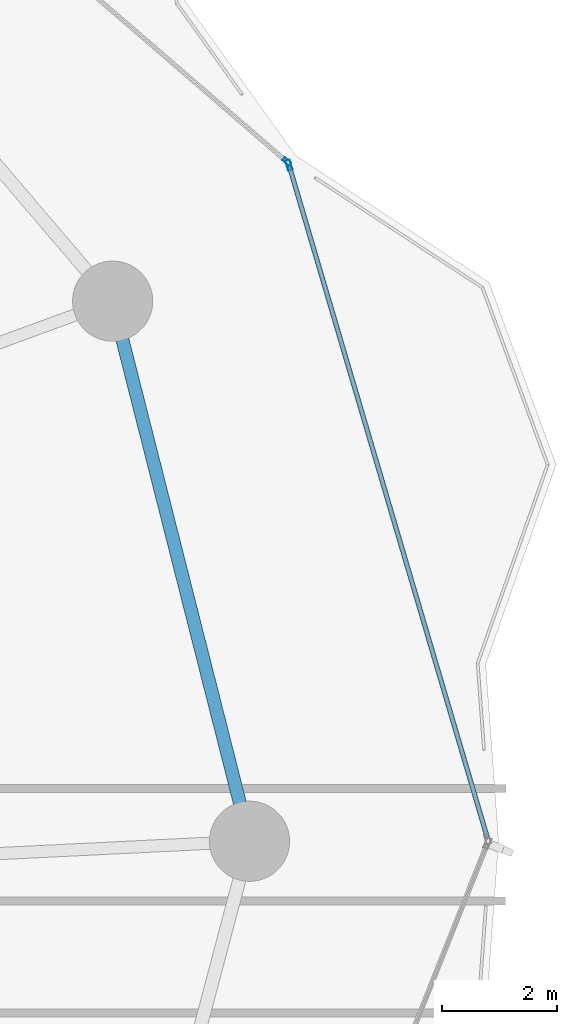
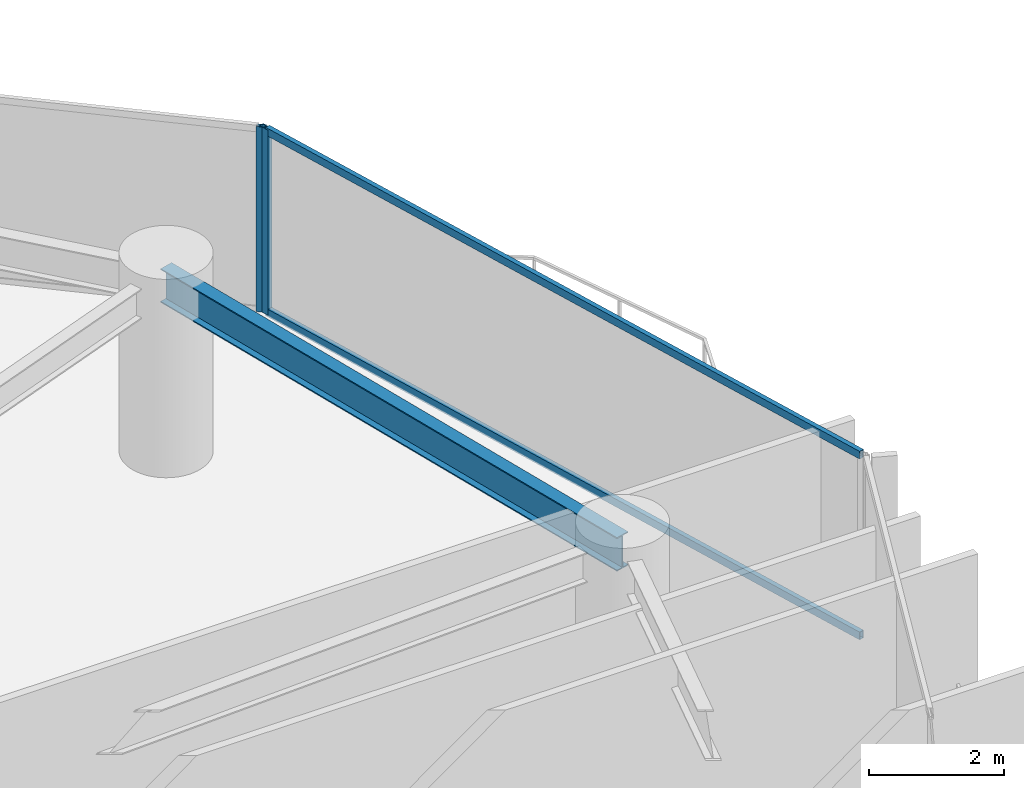
# One storey, part 24 of 33: 4 members, 1 beam, 2 elements without a shape of their own.
"""IFC4 building model written with IfcOpenShell, lengths in metres."""

import ifcopenshell
import ifcopenshell.guid

model = None  # the IFC model being written
_history = None  # IfcOwnerHistory: only IFC2X3 demands one
_inside = {}  # id of a spatial element -> (the spatial element, [elements in it])
_under = {}  # id of a project, library or spatial element -> (it, [spatial elements below it])
_declared = {}  # id of a project -> (the project, [libraries it declares])
_typed = {}  # id of a type object -> (the type object, [elements of that type])
_made_of = {}  # id of a material, layer set ... -> (it, [elements and type objects made of it])


def new_model(schema):
    """Start an empty IFC model of exactly this schema.

    Asked for "IFC4X3", IfcOpenShell would pick the latest addendum, in which some entities
    have other attributes; the version numbers below select the first issue.
    IFC2X3 requires an IfcOwnerHistory on every rooted entity: one is made here for all.
    """
    global model, _history
    if schema == "IFC4X3":
        model = ifcopenshell.file(schema_version=(4, 3, 0, 0))
    else:
        model = ifcopenshell.file(schema=schema)
    _inside.clear()
    _under.clear()
    _declared.clear()
    _typed.clear()
    _made_of.clear()
    _history = None
    if model.schema == "IFC2X3":
        org = make("IfcOrganization", Name="unknown")
        user = make(
            "IfcPersonAndOrganization",
            ThePerson=make("IfcPerson", FamilyName="unknown"),
            TheOrganization=org,
        )
        app = make(
            "IfcApplication",
            ApplicationDeveloper=org,
            Version="unknown",
            ApplicationFullName="unknown",
            ApplicationIdentifier="unknown",
        )
        _history = make(
            "IfcOwnerHistory",
            OwningUser=user,
            OwningApplication=app,
            ChangeAction="ADDED",
            CreationDate=0,
        )
    return model


def make(cls, **values):
    """One entity of the class cls with the attributes given. An attribute that is None is left unset."""
    return model.create_entity(
        cls, **{name: value for name, value in values.items() if value is not None}
    )


def rooted(cls, **values):
    """An entity with a GlobalId (a new one), such as an element, a storey or a relation."""
    return make(cls, GlobalId=ifcopenshell.guid.new(), OwnerHistory=_history, **values)


def si_unit(unit_type, name, prefix=None):
    """IfcSIUnit, for example si_unit("LENGTHUNIT", "METRE", prefix="MILLI")."""
    return make("IfcSIUnit", UnitType=unit_type, Prefix=prefix, Name=name)


def assignment(units):
    """IfcUnitAssignment: the units of a project."""
    return None if units is None else make("IfcUnitAssignment", Units=units)


def point(xyz):
    """IfcCartesianPoint."""
    return None if xyz is None else make("IfcCartesianPoint", Coordinates=xyz)


def direction(xyz):
    """IfcDirection."""
    return None if xyz is None else make("IfcDirection", DirectionRatios=xyz)


def frame(location, z_axis=None, x_axis=None):
    """IfcAxis2Placement3D, a coordinate frame: its origin and axes. An axis left out is left unset."""
    return make(
        "IfcAxis2Placement3D",
        Location=point(location),
        Axis=direction(z_axis),
        RefDirection=direction(x_axis),
    )


def frame_2d(location, x_axis=None):
    """IfcAxis2Placement2D, a coordinate frame in the plane: its origin and x axis."""
    return make(
        "IfcAxis2Placement2D", Location=point(location), RefDirection=direction(x_axis)
    )


def origin():
    """The frame at (0, 0, 0) with its axes left unset."""
    return frame((0.0, 0.0, 0.0))


def origin_2d():
    """The frame at (0, 0) in the plane with its x axis left unset."""
    return frame_2d((0.0, 0.0))


def place(relative_to, where):
    """IfcLocalPlacement: puts the frame where relative to a parent placement (None: the world)."""
    return make(
        "IfcLocalPlacement", PlacementRelTo=relative_to, RelativePlacement=where
    )


def context(
    kind, dimensions, precision=None, world=None, true_north=None, identifier=None
):
    """IfcGeometricRepresentationContext, for example the 3D "Model" context."""
    return make(
        "IfcGeometricRepresentationContext",
        ContextIdentifier=identifier,
        ContextType=kind,
        CoordinateSpaceDimension=dimensions,
        Precision=precision,
        WorldCoordinateSystem=world,
        TrueNorth=true_north,
    )


def subcontext(parent, identifier, kind, view, scale=None):
    """IfcGeometricRepresentationSubContext, for example "Body" below "Model"."""
    return make(
        "IfcGeometricRepresentationSubContext",
        ContextIdentifier=identifier,
        ContextType=kind,
        ParentContext=parent,
        TargetScale=scale,
        TargetView=view,
    )


def project(units=None, contexts=None):
    """IfcProject with its units and contexts."""
    return rooted(
        "IfcProject",
        Name="project",
        RepresentationContexts=contexts,
        UnitsInContext=assignment(units),
    )


def spatial(cls, under=None, at=None, **own):
    """A site, building, storey or space (cls), placed at a placement, below another one or the project."""
    s = rooted(cls, ObjectPlacement=at, **own)
    if under is not None:
        _under.setdefault(under.id(), (under, []))[1].append(s)
    return s


def profile(cls, at=None, kind="AREA", **sizes):
    """A parametric profile (cls). Its sizes go by their IFC names, for example OverallWidth=200.0."""
    return make(cls, ProfileType=kind, Position=at, **sizes)


def hollow_rectangle(**sizes):
    """IfcRectangleHollowProfileDef."""
    return profile("IfcRectangleHollowProfileDef", **sizes)


def i_section(**sizes):
    """IfcIShapeProfileDef."""
    return profile("IfcIShapeProfileDef", **sizes)


def extrude(swept, where, along, depth):
    """IfcExtrudedAreaSolid: the profile swept, set in the frame where, extruded along a direction by depth."""
    return make(
        "IfcExtrudedAreaSolid",
        SweptArea=swept,
        Position=where,
        ExtrudedDirection=direction(along),
        Depth=depth,
    )


def shape(context_of_items, identifier, shape_type, items):
    """IfcShapeRepresentation: the items that make up one representation, for example the "Body"."""
    return make(
        "IfcShapeRepresentation",
        ContextOfItems=context_of_items,
        RepresentationIdentifier=identifier,
        RepresentationType=shape_type,
        Items=items,
    )


def material(Name=None, Category=None):
    """IfcMaterial."""
    return make("IfcMaterial", Name=Name, Category=Category)


def layer(
    of_material, thickness, ventilated=None, Name=None, Category=None, Priority=None
):
    """IfcMaterialLayer: one layer of a wall or slab, of a material (None: an air gap)."""
    return make(
        "IfcMaterialLayer",
        Material=of_material,
        LayerThickness=thickness,
        IsVentilated=ventilated,
        Name=Name,
        Category=Category,
        Priority=Priority,
    )


def layer_set(layers, Name=None):
    """IfcMaterialLayerSet."""
    return make("IfcMaterialLayerSet", MaterialLayers=layers, LayerSetName=Name)


def material_profile(
    of_material, cross_section, Name=None, Category=None, Priority=None
):
    """IfcMaterialProfile: a cross section and its material."""
    return make(
        "IfcMaterialProfile",
        Name=Name,
        Material=of_material,
        Profile=cross_section,
        Priority=Priority,
        Category=Category,
    )


def profile_set(profiles, Name=None, composite=None):
    """IfcMaterialProfileSet."""
    return make(
        "IfcMaterialProfileSet",
        Name=Name,
        MaterialProfiles=profiles,
        CompositeProfile=composite,
    )


def made_of(thing, what):
    """Note that an element or type object is made of a material, layer set ...; save() writes the relation."""
    if what is not None:
        _made_of.setdefault(what.id(), (what, []))[1].append(thing)
    return thing


def type_object(cls, material=None, **own):
    """A type object (cls), such as IfcWallType, which elements share."""
    return made_of(rooted(cls, **own), material)


def element(
    cls,
    number,
    at=None,
    inside=None,
    cuts=None,
    type_object=None,
    material=None,
    context=None,
    identifier="Body",
    shape_type=None,
    held_by="IfcProductDefinitionShape",
    body=None,
    shapes=None,
    **own,
):
    """One element of the class cls, such as IfcWall. Its Tag is "e" and its number.

    at: its placement. inside: the storey or other place that contains it. cuts: it is an
    opening in that element (IfcRelVoidsElement). A single representation is given by context,
    identifier, shape_type and body (its items); several are given by shapes. held_by: the class
    of the entity that holds the representations. save() writes the other relations.
    """
    e = rooted(cls, Tag="e%d" % number, ObjectPlacement=at, **own)
    if body is not None:
        shapes = [shape(context, identifier, shape_type, body)]
    if shapes is not None:
        e.Representation = make(held_by, Representations=shapes)
    if inside is not None:
        _inside.setdefault(inside.id(), (inside, []))[1].append(e)
    if cuts is not None:
        rooted(
            "IfcRelVoidsElement", RelatingBuildingElement=cuts, RelatedOpeningElement=e
        )
    if type_object is not None:
        _typed.setdefault(type_object.id(), (type_object, []))[1].append(e)
    return made_of(e, material)


def aggregate(whole, parts):
    """IfcRelAggregates: a whole, such as a stair, and the parts it consists of."""
    return rooted("IfcRelAggregates", RelatingObject=whole, RelatedObjects=parts)


def save(model, path):
    """Write the relations noted so far, then the file.

    IfcRelAggregates (storeys below a building ...), IfcRelContainedInSpatialStructure (elements
    in a storey), IfcRelDefinesByType, IfcRelAssociatesMaterial and IfcRelDeclares: one each for
    every whole, place, type object, material and project.
    """
    for whole, parts in _under.values():
        aggregate(whole, parts)
    for where, things in _inside.values():
        rooted(
            "IfcRelContainedInSpatialStructure",
            RelatedElements=things,
            RelatingStructure=where,
        )
    for kind, things in _typed.values():
        rooted("IfcRelDefinesByType", RelatedObjects=things, RelatingType=kind)
    for what, things in _made_of.values():
        rooted("IfcRelAssociatesMaterial", RelatedObjects=things, RelatingMaterial=what)
    for by, libraries in _declared.values():
        rooted("IfcRelDeclares", RelatingContext=by, RelatedDefinitions=libraries)
    model.write(path)


model = new_model("IFC4")

# Units and contexts
model_context = context("Model", 3, precision=1e-05, world=origin(), true_north=direction((0.0, 1.0)))
body_context = subcontext(model_context, "Body", "Model", "MODEL_VIEW")
ifc_project = project(units=[si_unit("LENGTHUNIT", "METRE"), si_unit("AREAUNIT", "SQUARE_METRE"), si_unit("VOLUMEUNIT", "CUBIC_METRE"), si_unit("PLANEANGLEUNIT", "RADIAN"), si_unit("MASSUNIT", "GRAM", prefix="KILO")], contexts=[model_context])

# Site, building, storey
site_placement = place(None, origin())
site = spatial("IfcSite", under=ifc_project, at=site_placement, CompositionType="ELEMENT")
building_placement = place(site_placement, origin())
building = spatial("IfcBuilding", under=site, at=building_placement, Name="Kazevale Care Tower and Concert Hall", CompositionType="ELEMENT")
storey_placement = place(building_placement, frame((0.0, 0.0, 49.199951171875)))
storey = spatial("IfcBuildingStorey", under=building, at=storey_placement, Name="L12", CompositionType="ELEMENT", Elevation=49.199951171875)

# Curtain wall, member
ifc_material_1 = material(Name="Aluminium 6063-T6 and Low-E Glass", Category="aluminium")
ifc_layer_1 = layer(ifc_material_1, 0.179931640625)
ifc_layer_set_1 = layer_set([ifc_layer_1], Name="Aluminium 6063-T6 and Low-E Glass")
curtain_wall_type_1 = type_object("IfcCurtainWallType", Name="Convex Recessed Sunroom Curtain Wall CW-3", PredefinedType="NOTDEFINED", material=ifc_layer_set_1)
curtain_wall_1_placement = place(storey_placement, origin())
curtain_wall_1 = element("IfcCurtainWall", 1, at=curtain_wall_1_placement, inside=storey, type_object=curtain_wall_type_1, Name="cw:L12:f17", PredefinedType="NOTDEFINED")
ifc_material_2 = material(Name="Aluminium 6063-T6", Category="aluminium")
ifc_material_profile_1 = material_profile(ifc_material_2, hollow_rectangle(XDim=0.074951171875, YDim=0.14990234375, WallThickness=0.00390625, at=origin_2d()), Name="ALU75x150x4")
ifc_profile_set_1 = profile_set([ifc_material_profile_1], Name="Aluminium 6063-T6")
member_type_1 = type_object("IfcMemberType", Name="CW-3 Mullion ALU75x150x4", PredefinedType="MULLION", material=ifc_profile_set_1)
member_1_placement = place(storey_placement, frame((77.099609375, 49.867431640625, 0.0), z_axis=(0.0, 0.0, 1.0), x_axis=(0.653183596561, 0.757199570248, 0.0)))
member_1 = element("IfcMember", 2, at=member_1_placement, type_object=member_type_1, Name="CW-3 mullion 2", PredefinedType="MULLION", context=body_context, shape_type="SweptSolid", body=[
    extrude(hollow_rectangle(XDim=0.074951171875, YDim=0.14990234375, WallThickness=0.00390625, at=origin_2d()), origin(), (0.0, 0.0, 1.0), 3.360107421875),
])
aggregate(curtain_wall_1, [member_1])

# Curtain wall, members
ifc_layer_2 = layer(ifc_material_1, 0.179931640625)
ifc_layer_set_2 = layer_set([ifc_layer_2], Name="Aluminium 6063-T6 and Low-E Glass")
curtain_wall_type_2 = type_object("IfcCurtainWallType", Name="Waist & Upper Residential Curtain Wall CW-4", PredefinedType="NOTDEFINED", material=ifc_layer_set_2)
curtain_wall_2_placement = place(storey_placement, origin())
curtain_wall_2 = element("IfcCurtainWall", 3, at=curtain_wall_2_placement, inside=storey, type_object=curtain_wall_type_2, Name="cw:L12:f18", PredefinedType="NOTDEFINED")
ifc_material_profile_2 = material_profile(ifc_material_2, hollow_rectangle(XDim=0.080078125, YDim=0.179931640625, WallThickness=0.0048828125, at=origin_2d()), Name="ALU80x180x5")
ifc_profile_set_2 = profile_set([ifc_material_profile_2], Name="Aluminium 6063-T6")
member_type_2 = type_object("IfcMemberType", Name="CW-4 Mullion ALU80x180x5", PredefinedType="MULLION", material=ifc_profile_set_2)
member_2_placement = place(storey_placement, frame((77.139404296875, 49.8046875, 0.0), z_axis=(0.0, 0.0, 1.0), x_axis=(0.959173119586, 0.282819600918, 0.0)))
member_2 = element("IfcMember", 4, at=member_2_placement, type_object=member_type_2, Name="CW-4 mullion 1", PredefinedType="MULLION", context=body_context, shape_type="SweptSolid", body=[
    extrude(hollow_rectangle(XDim=0.080078125, YDim=0.179931640625, WallThickness=0.0048828125, at=origin_2d()), origin(), (0.0, 0.0, 1.0), 3.360107421875),
])
ifc_material_profile_3 = material_profile(ifc_material_2, hollow_rectangle(XDim=0.080078125, YDim=0.139892578125, WallThickness=0.00390625, at=origin_2d()), Name="ALU80x140x4")
ifc_profile_set_3 = profile_set([ifc_material_profile_3], Name="Aluminium 6063-T6")
member_type_3 = type_object("IfcMemberType", Name="CW-4 Transom ALU80x140x4", PredefinedType="USERDEFINED", material=ifc_profile_set_3)
member_3_placement = place(storey_placement, frame((77.150634765625, 49.766357421875, 0.0400390625), z_axis=(0.282818078945, -0.95917356835, 0.0), x_axis=(0.95917356835, 0.282818078945, 0.0)))
member_3 = element("IfcMember", 5, at=member_3_placement, type_object=member_type_3, Name="CW-4 transom 1.1", ObjectType="TRANSOM", PredefinedType="USERDEFINED", context=body_context, shape_type="SweptSolid", body=[
    extrude(hollow_rectangle(XDim=0.080078125, YDim=0.139892578125, WallThickness=0.00390625, at=origin_2d()), origin(), (0.0, 0.0, 1.0), 12.187255859375),
])
member_4_placement = place(storey_placement, frame((77.150634765625, 49.766357421875, 3.320068359375), z_axis=(0.282818078945, -0.95917356835, 0.0), x_axis=(0.95917356835, 0.282818078945, 0.0)))
member_4 = element("IfcMember", 6, at=member_4_placement, type_object=member_type_3, Name="CW-4 transom 1.2", ObjectType="TRANSOM", PredefinedType="USERDEFINED", context=body_context, shape_type="SweptSolid", body=[
    extrude(hollow_rectangle(XDim=0.080078125, YDim=0.139892578125, WallThickness=0.00390625, at=origin_2d()), origin(), (0.0, 0.0, 1.0), 12.187255859375),
])
aggregate(curtain_wall_2, [member_2, member_3, member_4])

# Beam
ifc_material_3 = material(Name="Steel ASTM A572 Gr 50", Category="steel")
ifc_material_profile_4 = material_profile(ifc_material_3, i_section(OverallWidth=0.22900390625, OverallDepth=0.612060546875, WebThickness=0.011962890625, FlangeThickness=0.01953125, at=origin_2d()), Name="W610x125")
ifc_profile_set_4 = profile_set([ifc_material_profile_4], Name="Steel ASTM A572 Gr 50")
beam_type = type_object("IfcBeamType", Name="Ring Spandrel Beam W610x125", PredefinedType="SPANDREL", material=ifc_profile_set_4)
beam_placement = place(storey_placement, frame((76.449951171875, 38.0, 3.053955078125), z_axis=(-0.245669948409, 0.969353535326, 0.0), x_axis=(-0.969353535326, -0.245669948409, 0.0)))
element("IfcBeam", 7, at=beam_placement, inside=storey, type_object=beam_type, Name="beam:L12:ring:01", PredefinedType="SPANDREL", context=body_context, shape_type="SweptSolid", body=[
    extrude(i_section(OverallWidth=0.22900390625, OverallDepth=0.612060546875, WebThickness=0.011962890625, FlangeThickness=0.01953125, at=origin_2d()), origin(), (0.0, 0.0, 1.0), 9.72802734375),
])

save(model, "model.ifc")
